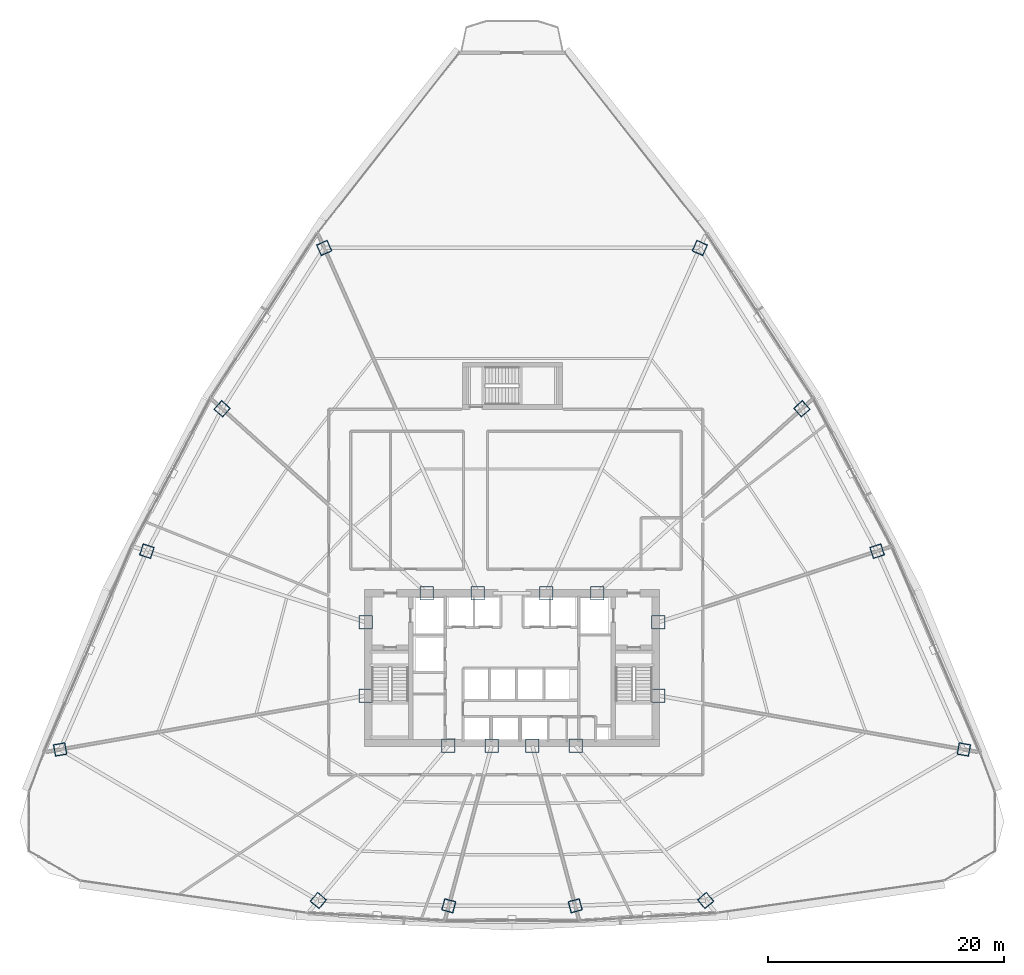
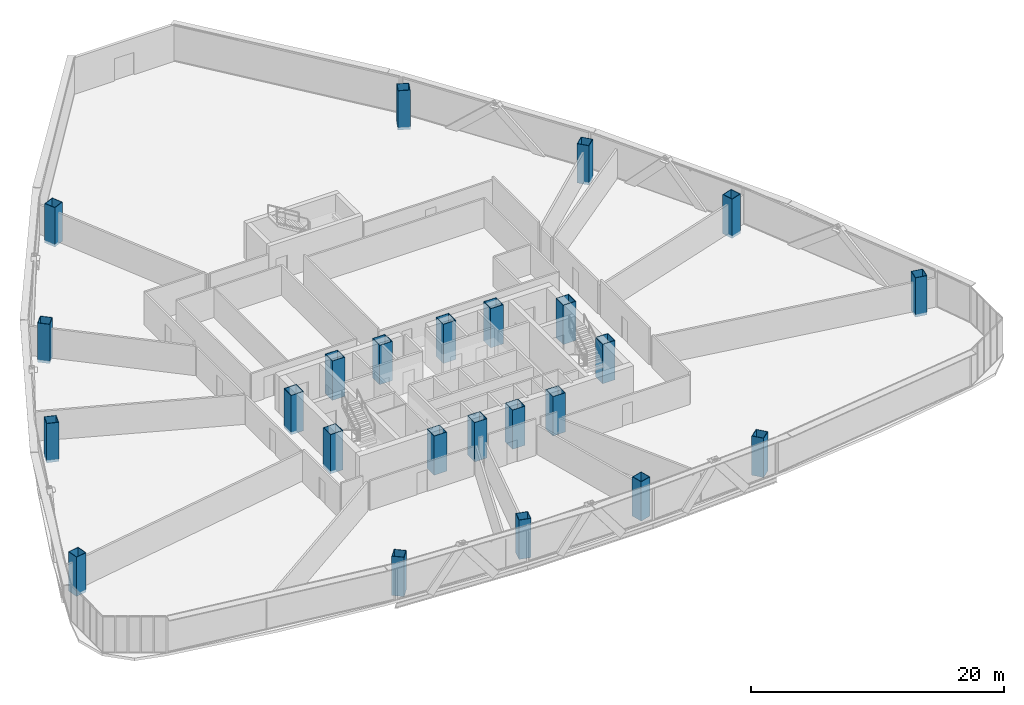
# One storey, part 1 of 41: 24 columns.
"""IFC4 building model written with IfcOpenShell, lengths in metres."""

from ifc_helpers import new_model, si_unit, direction, frame, origin, origin_2d, place, context, subcontext, project, spatial, hollow_rectangle, extrude, source, transform, mapped, material, material_profile, profile_set, type_object, element, save


model = new_model("IFC4")

# Units and contexts
model_context = context("Model", 3, precision=1e-05, world=origin(), true_north=direction((0.0, 1.0)))
body_context = subcontext(model_context, "Body", "Model", "MODEL_VIEW")
ifc_project = project(units=[si_unit("LENGTHUNIT", "METRE"), si_unit("AREAUNIT", "SQUARE_METRE"), si_unit("VOLUMEUNIT", "CUBIC_METRE"), si_unit("PLANEANGLEUNIT", "RADIAN"), si_unit("MASSUNIT", "GRAM", prefix="KILO"), si_unit("THERMODYNAMICTEMPERATUREUNIT", "KELVIN"), si_unit("POWERUNIT", "WATT")], contexts=[model_context])

# Site, building, storey
site_placement = place(None, origin())
site = spatial("IfcSite", under=ifc_project, at=site_placement, CompositionType="ELEMENT")
building_placement = place(site_placement, origin())
building = spatial("IfcBuilding", under=site, at=building_placement, Name="Yunzhuo Pagoda Commons", CompositionType="ELEMENT")
storey_placement = place(building_placement, frame((0.0, 0.0, 115.3798828125)))
storey = spatial("IfcBuildingStorey", under=building, at=storey_placement, Name="L29", CompositionType="ELEMENT", Elevation=115.3798828125)

# Columns
ifc_material = material(Name="Structural steel Q420B", Category="steel")
ifc_material_profile_1 = material_profile(ifc_material, hollow_rectangle(XDim=1.14990234375, YDim=1.14990234375, WallThickness=0.048095703125, at=origin_2d()), Name="Structural steel Q420B")
ifc_profile_set_1 = profile_set([ifc_material_profile_1], Name="Structural steel Q420B")
column_type_1 = type_object("IfcColumnType", Name="C-COR Column BOX 1150x1150x48", PredefinedType="COLUMN", material=ifc_profile_set_1)
shared_shape_1 = source(origin(), body_context, "Body", "SweptSolid", [
    extrude(hollow_rectangle(XDim=1.14990234375, YDim=1.14990234375, WallThickness=0.048095703125, at=origin_2d()), origin(), (0.0, 0.0, 1.0), 3.77978515625),
])
for number, where, z_axis, x_axis, name in (
    (1, (42.587890625, 27.25, -0.259765625), (0.0, 0.0, 1.0), (1.0, 0.0, 0.0), "L29 core composite column F1C1"),
    (2, (46.27197265625, 27.25, -0.259765625), (0.0, 0.0, 1.0), (1.0, 0.0, 0.0), "L29 core composite column F1C2"),
    (3, (49.728515625, 27.25, -0.259765625), (0.0, 0.0, 1.0), (1.0, 0.0, 0.0), "L29 core composite column F1C3"),
    (4, (53.412109375, 27.25, -0.259765625), (0.0, 0.0, 1.0), (1.0, 0.0, 0.0), "L29 core composite column F1C4"),
    (5, (60.39990234375, 31.513427734375, -0.259765625), (0.0, 0.0, 1.0), (1.0, 0.0, 0.0), "L29 core composite column F2C1"),
    (6, (60.39990234375, 37.72900390625, -0.259765625), (0.0, 0.0, 1.0), (1.0, 0.0, 0.0), "L29 core composite column F2C2"),
    (7, (55.218994140625, 40.199951171875, -0.259765625), (0.0, 0.0, 1.0), (1.0, 0.0, 0.0), "L29 core composite column F2C3"),
    (8, (50.89404296875, 40.199951171875, -0.259765625), (0.0, 0.0, 1.0), (1.0, 0.0, 0.0), "L29 core composite column F2C4"),
    (9, (45.10595703125, 40.199951171875, -0.259765625), (0.0, 0.0, 1.0), (1.0, 0.0, 0.0), "L29 core composite column F3C1"),
    (10, (40.781005859375, 40.199951171875, -0.259765625), (0.0, 0.0, 1.0), (1.0, 0.0, 0.0), "L29 core composite column F3C2"),
    (11, (35.60009765625, 37.72900390625, -0.259765625), (0.0, 0.0, 1.0), (1.0, 0.0, 0.0), "L29 core composite column F3C3"),
    (12, (35.60009765625, 31.513427734375, -0.259765625), (0.0, 0.0, 1.0), (1.0, 0.0, 0.0), "L29 core composite column F3C4"),
):
    element("IfcColumn", number, at=place(storey_placement, frame(where, z_axis=z_axis, x_axis=x_axis)), inside=storey, type_object=column_type_1, Name=name, PredefinedType="COLUMN", context=body_context, shape_type="MappedRepresentation", body=[
        mapped(shared_shape_1, transform((0.0, 0.0, 0.0), scale=1.0)),
    ])
ifc_material_profile_2 = material_profile(ifc_material, hollow_rectangle(XDim=1.0, YDim=1.0, WallThickness=0.0419921875, at=origin_2d()), Name="Structural steel Q420B")
ifc_profile_set_2 = profile_set([ifc_material_profile_2], Name="Structural steel Q420B")
column_type_2 = type_object("IfcColumnType", Name="C-Z2 Column BOX 1000x1000x42", PredefinedType="COLUMN", material=ifc_profile_set_2)
shared_shape_2 = source(origin(), body_context, "Body", "SweptSolid", [
    extrude(hollow_rectangle(XDim=1.0, YDim=1.0, WallThickness=0.0419921875, at=origin_2d()), origin(), (0.0, 0.0, 1.0), 3.77978515625),
])
for number, where, z_axis, x_axis, name in (
    (13, (31.56396484375, 14.1123046875, -0.259765625), (0.0, 0.0, 1.0), (0.766044443119, -0.642787609687, 0.0), "L29 tower column F1C1"),
    (14, (42.632568359375, 13.66845703125, -0.259765625), (0.0, 0.0, 1.0), (0.965925826289, -0.258819045103, 0.0), "L29 tower column F1C2"),
    (15, (53.367431640625, 13.66845703125, -0.259765625), (0.0, 0.0, 1.0), (0.965925826289, 0.258819045103, 0.0), "L29 tower column F1C3"),
    (16, (64.43603515625, 14.1123046875, -0.259765625), (0.0, 0.0, 1.0), (0.766044443119, 0.642787609687, 0.0), "L29 tower column F1C4"),
    (17, (86.352783203125, 26.9375, -0.259765625), (0.0, 0.0, 1.0), (0.173648177667, 0.984807753012, 0.0), "L29 tower column F2C1"),
    (18, (78.99072265625, 43.76953125, -0.259765625), (0.0, 0.0, 1.0), (-0.309016994375, 0.951056516295, 0.0), "L29 tower column F2C2"),
    (19, (72.602783203125, 55.852294921875, -0.259765625), (0.0, 0.0, 1.0), (-0.669130606359, 0.743144825477, 0.0), "L29 tower column F2C3"),
    (20, (63.94140625, 69.505126953125, -0.259765625), (0.0, 0.0, 1.0), (-0.913545457643, 0.406736643076, 0.0), "L29 tower column F2C4"),
    (21, (32.05859375, 69.505126953125, -0.259765625), (0.0, 0.0, 1.0), (-0.913545457643, -0.406736643076, 0.0), "L29 tower column F3C1"),
    (22, (23.397216796875, 55.852294921875, -0.259765625), (0.0, 0.0, 1.0), (-0.669130606359, -0.743144825477, 0.0), "L29 tower column F3C2"),
    (23, (17.00927734375, 43.76953125, -0.259765625), (0.0, 0.0, 1.0), (-0.309016994375, -0.951056516295, 0.0), "L29 tower column F3C3"),
    (24, (9.647216796875, 26.9375, -0.259765625), (0.0, 0.0, 1.0), (0.173648177667, -0.984807753012, 0.0), "L29 tower column F3C4"),
):
    element("IfcColumn", number, at=place(storey_placement, frame(where, z_axis=z_axis, x_axis=x_axis)), inside=storey, type_object=column_type_2, Name=name, PredefinedType="COLUMN", context=body_context, shape_type="MappedRepresentation", body=[
        mapped(shared_shape_2, transform((0.0, 0.0, 0.0), scale=1.0)),
    ])

save(model, "model.ifc")
